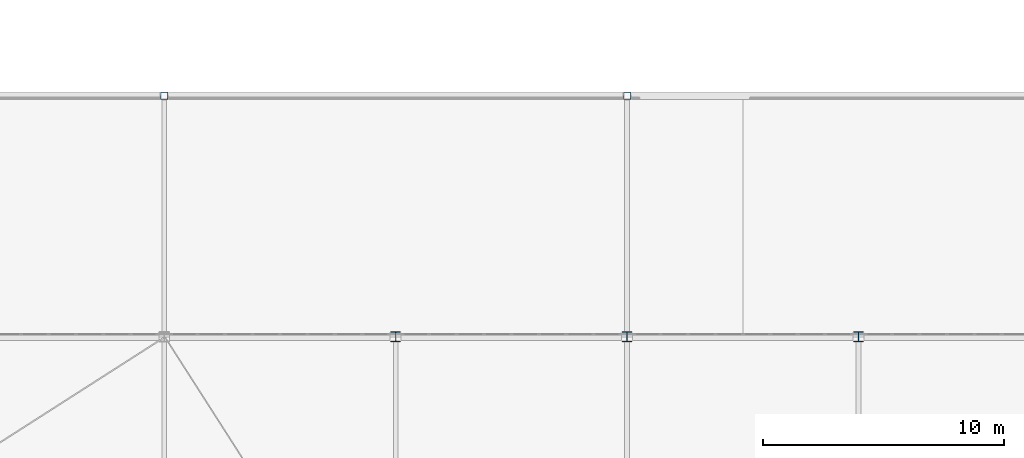
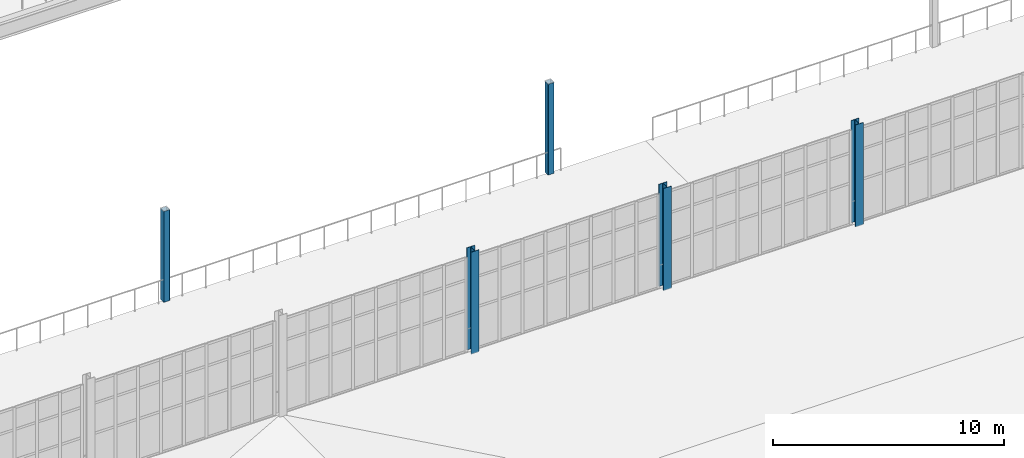
# One storey, part 5 of 112: 5 columns.
"""IFC4 building model written with IfcOpenShell, lengths in metres."""

from ifc_helpers import new_model, si_unit, direction, frame, origin, origin_2d, place, context, subcontext, project, spatial, hollow_rectangle, i_section, extrude, material, material_profile, profile_set, type_object, element, save


model = new_model("IFC4")

# Units and contexts
model_context = context("Model", 3, precision=1e-05, world=origin(), true_north=direction((0.0, 1.0)))
body_context = subcontext(model_context, "Body", "Model", "MODEL_VIEW")
ifc_project = project(units=[si_unit("LENGTHUNIT", "METRE"), si_unit("AREAUNIT", "SQUARE_METRE"), si_unit("VOLUMEUNIT", "CUBIC_METRE"), si_unit("PLANEANGLEUNIT", "RADIAN"), si_unit("MASSUNIT", "GRAM", prefix="KILO")], contexts=[model_context])

# Site, building, storey
site_placement = place(None, origin())
site = spatial("IfcSite", under=ifc_project, at=site_placement, CompositionType="ELEMENT")
building_placement = place(site_placement, origin())
building = spatial("IfcBuilding", under=site, at=building_placement, Name="Yeouljin Market Hall", CompositionType="ELEMENT")
storey_placement = place(building_placement, frame((0.0, 0.0, 6.0)))
storey = spatial("IfcBuildingStorey", under=building, at=storey_placement, Name="L01", CompositionType="ELEMENT", Elevation=6.0)

# Columns
ifc_material_1 = material(Name="Steel SM355", Category="steel")
ifc_material_profile_1 = material_profile(ifc_material_1, i_section(OverallWidth=0.39990234375, OverallDepth=0.39990234375, WebThickness=0.012939453125, FlangeThickness=0.02099609375, FilletRadius=0.02197265625, at=origin_2d()), Name="H-400x400x13x21")
ifc_profile_set_1 = profile_set([ifc_material_profile_1], Name="Steel SM355")
column_type_1 = type_object("IfcColumnType", Name="Col_H-400x400x13x21", PredefinedType="COLUMN", material=ifc_profile_set_1)
for number, where, z_axis, x_axis, name in (
    (1, (73.800048828125, 36.0, 0.0), (0.0, 0.0, 1.0), (1.0, 0.0, 0.0), "Column G-09-04 (L01)"),
    (2, (83.39990234375, 36.0, 0.0), (0.0, 0.0, 1.0), (1.0, 0.0, 0.0), "Column G-10-04 (L01)"),
    (3, (93.0, 36.0, 0.0), (0.0, 0.0, 1.0), (1.0, 0.0, 0.0), "Column G-11-04 (L01)"),
):
    element("IfcColumn", number, at=place(storey_placement, frame(where, z_axis=z_axis, x_axis=x_axis)), inside=storey, type_object=column_type_1, Name=name, PredefinedType="COLUMN", context=body_context, shape_type="SweptSolid", body=[
        extrude(i_section(OverallWidth=0.39990234375, OverallDepth=0.39990234375, WebThickness=0.012939453125, FlangeThickness=0.02099609375, FilletRadius=0.02197265625, at=origin_2d()), origin(), (0.0, 0.0, 1.0), 5.39990234375),
    ])
ifc_material_2 = material(Name="Steel SM355", Category="steel")
ifc_material_profile_2 = material_profile(ifc_material_2, hollow_rectangle(XDim=0.300048828125, YDim=0.300048828125, WallThickness=0.010009765625, InnerFilletRadius=0.010009765625, OuterFilletRadius=0.01611328125, at=origin_2d()), Name="SHS-300x300x10")
ifc_profile_set_2 = profile_set([ifc_material_profile_2], Name="Steel SM355")
column_type_2 = type_object("IfcColumnType", Name="Col_SHS-300x300x10", PredefinedType="COLUMN", material=ifc_profile_set_2)
for number, where, z_axis, x_axis, name in (
    (4, (64.199951171875, 46.0, 0.0), (0.0, 0.0, 1.0), (1.0, 0.0, 0.0), "Column G-08-05 (L01)"),
    (5, (83.39990234375, 46.0, 0.0), (0.0, 0.0, 1.0), (1.0, 0.0, 0.0), "Column G-10-05 (L01)"),
):
    element("IfcColumn", number, at=place(storey_placement, frame(where, z_axis=z_axis, x_axis=x_axis)), inside=storey, type_object=column_type_2, Name=name, PredefinedType="COLUMN", context=body_context, shape_type="SweptSolid", body=[
        extrude(hollow_rectangle(XDim=0.300048828125, YDim=0.300048828125, WallThickness=0.010009765625, InnerFilletRadius=0.010009765625, OuterFilletRadius=0.01611328125, at=origin_2d()), origin(), (0.0, 0.0, 1.0), 4.800048828125),
    ])

save(model, "model.ifc")
